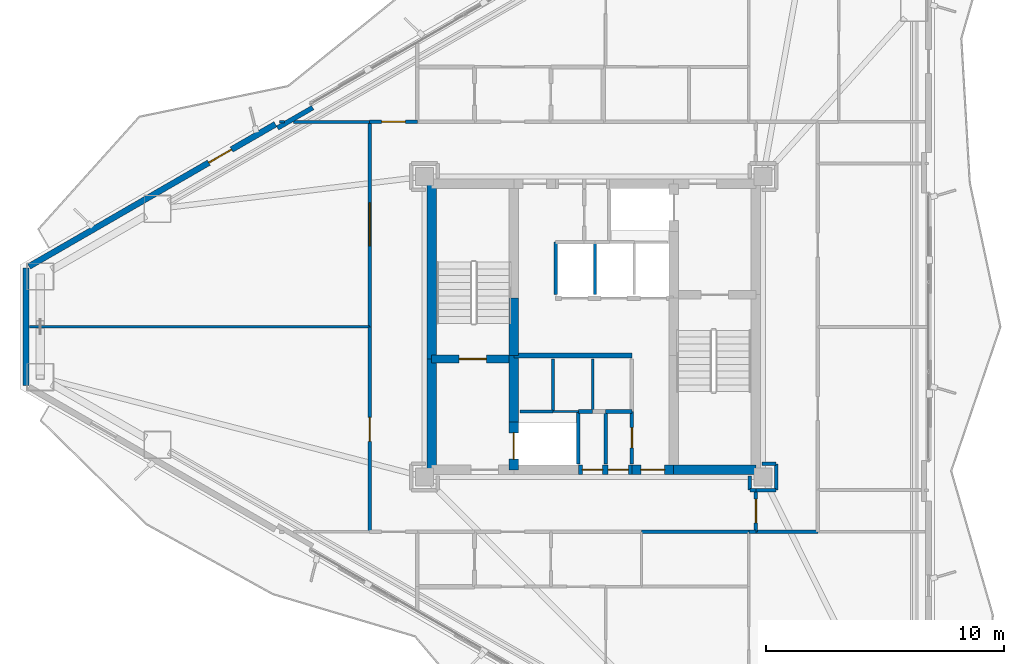
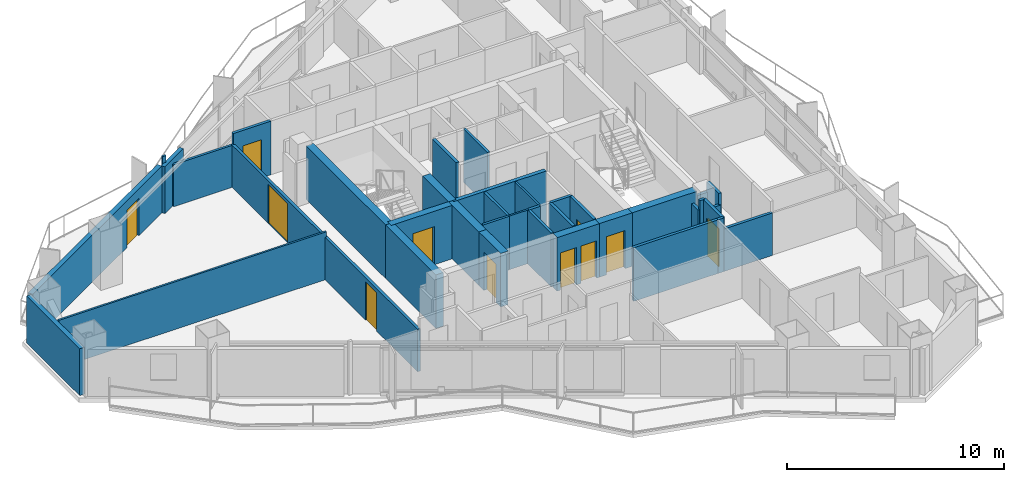
# One storey, part 16 of 22: 39 walls, 11 doors, 11 openings.
"""IFC4 building model written with IfcOpenShell, lengths in metres."""

from ifc_helpers import new_model, si_unit, direction, frame, frame_2d, origin, place, context, subcontext, project, spatial, rectangle, extrude, material, layer, layer_set, type_object, element, fill, save


model = new_model("IFC4")

# Units and contexts
model_context = context("Model", 3, precision=1e-05, world=origin(), true_north=direction((0.0, 1.0)))
body_context = subcontext(model_context, "Body", "Model", "MODEL_VIEW")
ifc_project = project(units=[si_unit("LENGTHUNIT", "METRE"), si_unit("AREAUNIT", "SQUARE_METRE"), si_unit("VOLUMEUNIT", "CUBIC_METRE"), si_unit("PLANEANGLEUNIT", "RADIAN"), si_unit("MASSUNIT", "GRAM", prefix="KILO")], contexts=[model_context])

# Site, building, storey
site_placement = place(None, origin())
site = spatial("IfcSite", under=ifc_project, at=site_placement, CompositionType="ELEMENT")
building_placement = place(site_placement, origin())
building = spatial("IfcBuilding", under=site, at=building_placement, Name="Mersakhor Tower and Convention Hall", CompositionType="ELEMENT")
storey_placement = place(building_placement, frame((0.0, 0.0, 113.10009765625)))
storey = spatial("IfcBuildingStorey", under=building, at=storey_placement, Name="L31", CompositionType="ELEMENT", Elevation=113.10009765625)

# Wall
ifc_material_1 = material(Name="Precast concrete C40/50", Category="concrete")
ifc_layer_1 = layer(ifc_material_1, 0.25)
ifc_layer_set_1 = layer_set([ifc_layer_1], Name="Precast concrete C40/50")
wall_type_1 = type_object("IfcWallType", Name="WL-EXT-250", PredefinedType="SOLIDWALL", material=ifc_layer_set_1)
wall_1_placement = place(storey_placement, frame((5.186767578125, 24.292724609375, 0.0), z_axis=(0.0, 0.0, 1.0), x_axis=(0.0, 1.0, 0.0)))
element("IfcWall", 1, at=wall_1_placement, inside=storey, type_object=wall_type_1, Name="L31 Chamfer Braced Spandrel Wall C3", PredefinedType="SOLIDWALL", context=body_context, shape_type="SweptSolid", body=[
    extrude(rectangle(XDim=4.91455078125, YDim=0.25, at=frame_2d((2.457275390625, 0.0))), origin(), (0.0, 0.0, 1.0), 2.639892578125),
])

# Wall, opening, door
wall_2_placement = place(storey_placement, frame((5.316650390625, 29.2822265625, 0.0), z_axis=(0.0, 0.0, 1.0), x_axis=(0.866023023012, 0.500004123596, 0.0)))
wall_2 = element("IfcWall", 2, at=wall_2_placement, inside=storey, type_object=wall_type_1, Name="L31 Exterior Facade Wall F1-B1", PredefinedType="SOLIDWALL", context=body_context, shape_type="SweptSolid", body=[
    extrude(rectangle(XDim=11.9296875, YDim=0.25, at=frame_2d((5.96484375, 0.0))), origin(), (0.0, 0.0, 1.0), 2.639892578125),
])
opening_1_placement = place(wall_2_placement, frame((8.7041015625, 0.0, 0.0)))
opening_1 = element("IfcOpeningElement", 3, at=opening_1_placement, cuts=wall_2, Name="Opening BD-02", PredefinedType="OPENING", context=body_context, shape_type="SweptSolid", body=[
    extrude(rectangle(XDim=1.10009765625, YDim=2.10009765625, at=frame_2d((0.550048828125, 1.050048828125))), frame((0.0, 0.135009765625, 0.0), z_axis=(0.0, -1.0, 0.0), x_axis=(1.0, 0.0, 0.0)), (0.0, 0.0, 1.0), 0.27001953125),
])
ifc_material_2 = material(Name="Thermally broken dark aluminium and safety glass", Category="aluminium")
door_type_1 = type_object("IfcDoorType", Name="DR-BAL-110x210", OperationType="NOTDEFINED", PredefinedType="DOOR", material=ifc_material_2)
door_1_placement = place(opening_1_placement, origin())
door_1 = element("IfcDoor", 4, at=door_1_placement, inside=storey, type_object=door_type_1, Name="L31 Balcony Terrace Door F1-B1", OperationType="SINGLE_SWING_RIGHT", OverallHeight=2.10009765625, OverallWidth=1.10009765625, PredefinedType="DOOR", context=body_context, shape_type="SweptSolid", body=[
    extrude(rectangle(XDim=1.10009765625, YDim=2.10009765625, at=frame_2d((0.550048828125, 1.050048828125))), frame((0.0, 0.02490234375, 0.0), z_axis=(0.0, -1.0, 0.0), x_axis=(1.0, 0.0, 0.0)), (0.0, 0.0, 1.0), 0.050048828125),
])
fill(opening_1, door_1)

# Walls
ifc_material_3 = material(Name="Precast concrete C40/50", Category="concrete")
ifc_layer_2 = layer(ifc_material_3, 0.199951171875)
ifc_layer_set_2 = layer_set([ifc_layer_2], Name="Precast concrete C40/50")
wall_type_2 = type_object("IfcWallType", Name="WL-PAR-200", PredefinedType="PARAPET", material=ifc_layer_set_2)
wall_3_placement = place(storey_placement, frame((15.73779296875, 35.091064453125, 0.0), z_axis=(0.0, 0.0, 1.0), x_axis=(0.866025371046, 0.500000056704, 0.0)))
element("IfcWall", 5, at=wall_3_placement, inside=storey, type_object=wall_type_2, Name="L31 Column Pier Cladding Wall F1-C1", PredefinedType="PARAPET", context=body_context, shape_type="SweptSolid", body=[
    extrude(rectangle(XDim=1.7001953125, YDim=0.199951171875, at=frame_2d((0.85009765625, 0.0))), origin(), (0.0, 0.0, 1.0), 2.639892578125),
])
ifc_material_4 = material(Name="Lightweight gypsum partition", Category="other")
ifc_layer_3 = layer(ifc_material_4, 0.10009765625)
ifc_layer_set_3 = layer_set([ifc_layer_3], Name="Lightweight gypsum partition")
wall_type_3 = type_object("IfcWallType", Name="WL-PRT-100", PredefinedType="PARTITIONING", material=ifc_layer_set_3)
wall_4_placement = place(storey_placement, frame((27.300048828125, 23.199951171875, 0.0), z_axis=(0.0, 0.0, 1.0), x_axis=(1.0, 0.0, 0.0)))
element("IfcWall", 6, at=wall_4_placement, inside=storey, type_object=wall_type_3, Name="L31 Interior Partition Wall P-002", PredefinedType="PARTITIONING", context=body_context, shape_type="SweptSolid", body=[
    extrude(rectangle(XDim=1.050048828125, YDim=0.10009765625, at=frame_2d((0.52490234375, 0.0))), origin(), (0.0, 0.0, 1.0), 3.02001953125),
])
wall_5_placement = place(storey_placement, frame((28.949951171875, 25.39990234375, 0.0), z_axis=(0.0, 0.0, 1.0), x_axis=(0.0, -1.0, 0.0)))
element("IfcWall", 7, at=wall_5_placement, inside=storey, type_object=wall_type_3, Name="L31 Interior Partition Wall P-008", PredefinedType="PARTITIONING", context=body_context, shape_type="SweptSolid", body=[
    extrude(rectangle(XDim=2.199951171875, YDim=0.10009765625, at=frame_2d((1.10009765625, 0.0))), origin(), (0.0, 0.0, 1.0), 3.02001953125),
])
wall_6_placement = place(storey_placement, frame((16.026123046875, 35.35009765625, 0.0), z_axis=(0.0, 0.0, 1.0), x_axis=(-1.0, 0.0, 0.0)))
element("IfcWall", 8, at=wall_6_placement, inside=storey, type_object=wall_type_3, Name="L31 Interior Partition Wall P-082", PredefinedType="PARTITIONING", context=body_context, shape_type="SweptSolid", body=[
    extrude(rectangle(XDim=0.2001953125, YDim=0.10009765625, at=frame_2d((0.10009765625, 0.0))), origin(), (0.0, 0.0, 1.0), 3.02001953125),
])
wall_7_placement = place(storey_placement, frame((5.335693359375, 26.75, 0.0), z_axis=(0.0, 0.0, 1.0), x_axis=(1.0, 0.0, 0.0)))
element("IfcWall", 9, at=wall_7_placement, inside=storey, type_object=wall_type_3, Name="L31 Interior Partition Wall P-086", PredefinedType="PARTITIONING", context=body_context, shape_type="SweptSolid", body=[
    extrude(rectangle(XDim=14.264404296875, YDim=0.10009765625, at=frame_2d((7.13232421875, 0.0))), origin(), (0.0, 0.0, 1.0), 2.684326171875),
])
ifc_material_5 = material(Name="Gypsum board acoustic partition", Category="other")
ifc_layer_4 = layer(ifc_material_5, 0.125)
ifc_layer_set_4 = layer_set([ifc_layer_4], Name="Gypsum board acoustic partition")
wall_type_4 = type_object("IfcWallType", Name="WL-PRT-125", PredefinedType="PARTITIONING", material=ifc_layer_set_4)
wall_8_placement = place(storey_placement, frame((25.89990234375, 23.199951171875, 0.0), z_axis=(0.0, 0.0, 1.0), x_axis=(1.0, 0.0, 0.0)))
element("IfcWall", 10, at=wall_8_placement, inside=storey, type_object=wall_type_4, Name="L31 Interior Partition Wall P-001", PredefinedType="PARTITIONING", context=body_context, shape_type="SweptSolid", body=[
    extrude(rectangle(XDim=1.400146484375, YDim=0.125, at=frame_2d((0.7001953125, 0.0))), origin(), (0.0, 0.0, 1.0), 3.02001953125),
])
for number, where, z_axis, x_axis, name in (
    (11, (27.300048828125, 25.39990234375, 0.0), (0.0, 0.0, 1.0), (0.0, -1.0, 0.0), "L31 Interior Partition Wall P-007"),
    (12, (29.050048828125, 30.300048828125, 0.0), (0.0, 0.0, 1.0), (0.0, -1.0, 0.0), "L31 Interior Partition Wall P-015"),
):
    element("IfcWall", number, at=place(storey_placement, frame(where, z_axis=z_axis, x_axis=x_axis)), inside=storey, type_object=wall_type_4, Name=name, PredefinedType="PARTITIONING", context=body_context, shape_type="SweptSolid", body=[
        extrude(rectangle(XDim=2.199951171875, YDim=0.125, at=frame_2d((1.10009765625, 0.0))), origin(), (0.0, 0.0, 1.0), 3.02001953125),
    ])
wall_9_placement = place(storey_placement, frame((19.60009765625, 35.35009765625, 0.0), z_axis=(0.0, 0.0, 1.0), x_axis=(-1.0, 0.0, 0.0)))
element("IfcWall", 13, at=wall_9_placement, inside=storey, type_object=wall_type_4, Name="L31 Interior Partition Wall P-081", PredefinedType="PARTITIONING", context=body_context, shape_type="SweptSolid", body=[
    extrude(rectangle(XDim=3.188232421875, YDim=0.125, at=frame_2d((1.59423828125, 0.0))), origin(), (0.0, 0.0, 1.0), 2.364990234375),
])
ifc_material_6 = material(Name="Fire-rated gypsum board stud partition", Category="other")
ifc_layer_5 = layer(ifc_material_6, 0.14990234375)
ifc_layer_set_5 = layer_set([ifc_layer_5], Name="Fire-rated gypsum board stud partition")
wall_type_5 = type_object("IfcWallType", Name="WL-PRT-150", PredefinedType="PARTITIONING", material=ifc_layer_set_5)
wall_10_placement = place(storey_placement, frame((28.35009765625, 23.199951171875, 0.0), z_axis=(0.0, 0.0, 1.0), x_axis=(0.0, -1.0, 0.0)))
element("IfcWall", 14, at=wall_10_placement, inside=storey, type_object=wall_type_5, Name="L31 Interior Partition Wall P-003", PredefinedType="PARTITIONING", context=body_context, shape_type="SweptSolid", body=[
    extrude(rectangle(XDim=2.199951171875, YDim=0.14990234375, at=frame_2d((1.10009765625, 0.0))), origin(), (0.0, 0.0, 1.0), 3.02001953125),
])
wall_11_placement = place(storey_placement, frame((28.949951171875, 23.199951171875, 0.0), z_axis=(0.0, 0.0, 1.0), x_axis=(-1.0, 0.0, 0.0)))
element("IfcWall", 15, at=wall_11_placement, inside=storey, type_object=wall_type_5, Name="L31 Interior Partition Wall P-009", PredefinedType="PARTITIONING", context=body_context, shape_type="SweptSolid", body=[
    extrude(rectangle(XDim=0.599853515625, YDim=0.14990234375, at=frame_2d((0.2998046875, 0.0))), origin(), (0.0, 0.0, 1.0), 3.02001953125),
])
wall_12_placement = place(storey_placement, frame((30.60009765625, 23.199951171875, 0.0), z_axis=(0.0, 0.0, 1.0), x_axis=(-1.0, 0.0, 0.0)))
element("IfcWall", 16, at=wall_12_placement, inside=storey, type_object=wall_type_5, Name="L31 Interior Partition Wall P-011", PredefinedType="PARTITIONING", context=body_context, shape_type="SweptSolid", body=[
    extrude(rectangle(XDim=1.10009765625, YDim=0.14990234375, at=frame_2d((0.550048828125, 0.0))), origin(), (0.0, 0.0, 1.0), 3.02001953125),
])
wall_13_placement = place(storey_placement, frame((27.39990234375, 28.10009765625, 0.0), z_axis=(0.0, 0.0, 1.0), x_axis=(0.0, 1.0, 0.0)))
element("IfcWall", 17, at=wall_13_placement, inside=storey, type_object=wall_type_5, Name="L31 Interior Partition Wall P-016", PredefinedType="PARTITIONING", context=body_context, shape_type="SweptSolid", body=[
    extrude(rectangle(XDim=2.199951171875, YDim=0.14990234375, at=frame_2d((1.10009765625, 0.0))), origin(), (0.0, 0.0, 1.0), 3.02001953125),
])

# Wall, opening, door
wall_14_placement = place(storey_placement, frame((30.60009765625, 21.0, 0.0), z_axis=(0.0, 0.0, 1.0), x_axis=(0.0, 1.0, 0.0)))
wall_14 = element("IfcWall", 18, at=wall_14_placement, inside=storey, type_object=wall_type_5, Name="L31 Interior Partition Wall P-019", PredefinedType="PARTITIONING", context=body_context, shape_type="SweptSolid", body=[
    extrude(rectangle(XDim=2.199951171875, YDim=0.14990234375, at=frame_2d((1.10009765625, 0.0))), origin(), (0.0, 0.0, 1.0), 3.02001953125),
])
opening_2_placement = place(wall_14_placement, frame((0.675048828125, 0.0, 0.0)))
opening_2 = element("IfcOpeningElement", 19, at=opening_2_placement, cuts=wall_14, Name="Opening SVD-01", PredefinedType="OPENING", context=body_context, shape_type="SweptSolid", body=[
    extrude(rectangle(XDim=0.85009765625, YDim=2.10009765625, at=frame_2d((0.425048828125, 1.050048828125))), frame((0.0, 0.0849609375, 0.0), z_axis=(0.0, -1.0, 0.0), x_axis=(1.0, 0.0, 0.0)), (0.0, 0.0, 1.0), 0.169921875),
])
ifc_material_7 = material(Name="Fire-rated hardwood leaf and painted steel frame", Category="steel")
door_type_2 = type_object("IfcDoorType", Name="DR-INT-SVC-085x210", OperationType="NOTDEFINED", PredefinedType="DOOR", material=ifc_material_7)
door_2_placement = place(opening_2_placement, origin())
door_2 = element("IfcDoor", 20, at=door_2_placement, inside=storey, type_object=door_type_2, Name="L31 Central Passenger Lift Lobby to Refuse and Recycling Room Door", OperationType="SINGLE_SWING_RIGHT", OverallHeight=2.10009765625, OverallWidth=0.85009765625, PredefinedType="DOOR", context=body_context, shape_type="SweptSolid", body=[
    extrude(rectangle(XDim=0.85009765625, YDim=2.10009765625, at=frame_2d((0.425048828125, 1.050048828125))), frame((0.0, 0.02490234375, 0.0), z_axis=(0.0, -1.0, 0.0), x_axis=(1.0, 0.0, 0.0)), (0.0, 0.0, 1.0), 0.050048828125),
])
fill(opening_2, door_2)

# Walls
wall_15_placement = place(storey_placement, frame((35.550048828125, 20.5, 0.0), z_axis=(0.0, 0.0, 1.0), x_axis=(0.0, -1.0, 0.0)))
element("IfcWall", 21, at=wall_15_placement, inside=storey, type_object=wall_type_5, Name="L31 Interior Partition Wall P-023", PredefinedType="PARTITIONING", context=body_context, shape_type="SweptSolid", body=[
    extrude(rectangle(XDim=0.60009765625, YDim=0.14990234375, at=frame_2d((0.300048828125, 0.0))), origin(), (0.0, 0.0, 1.0), 2.46826171875),
])
wall_16_placement = place(storey_placement, frame((35.550048828125, 19.89990234375, 0.0), z_axis=(0.0, 0.0, 1.0), x_axis=(1.0, 0.0, 0.0)))
element("IfcWall", 22, at=wall_16_placement, inside=storey, type_object=wall_type_5, Name="L31 Interior Partition Wall P-024", PredefinedType="PARTITIONING", context=body_context, shape_type="SweptSolid", body=[
    extrude(rectangle(XDim=0.25, YDim=0.14990234375, at=frame_2d((0.125, 0.0))), origin(), (0.0, 0.0, 1.0), 3.02001953125),
])

# Wall, opening, door
wall_17_placement = place(storey_placement, frame((35.800048828125, 19.89990234375, 0.0), z_axis=(0.0, 0.0, 1.0), x_axis=(0.0, -1.0, 0.0)))
wall_17 = element("IfcWall", 23, at=wall_17_placement, inside=storey, type_object=wall_type_5, Name="L31 Interior Partition Wall P-025", PredefinedType="PARTITIONING", context=body_context, shape_type="SweptSolid", body=[
    extrude(rectangle(XDim=1.75, YDim=0.14990234375, at=frame_2d((0.875, 0.0))), origin(), (0.0, 0.0, 1.0), 3.02001953125),
])
opening_3_placement = place(wall_17_placement, frame((0.375, 0.0, 0.0)))
opening_3 = element("IfcOpeningElement", 24, at=opening_3_placement, cuts=wall_17, Name="Opening FD-01", PredefinedType="OPENING", context=body_context, shape_type="SweptSolid", body=[
    extrude(rectangle(XDim=1.0, YDim=2.14990234375, at=frame_2d((0.5, 1.074951171875))), frame((0.0, 0.0849609375, 0.0), z_axis=(0.0, -1.0, 0.0), x_axis=(1.0, 0.0, 0.0)), (0.0, 0.0, 1.0), 0.169921875),
])
ifc_material_8 = material(Name="Fire-rated hardwood leaf and painted steel frame", Category="steel")
door_type_3 = type_object("IfcDoorType", Name="DR-INT-FLT-100x215", OperationType="NOTDEFINED", PredefinedType="DOOR", material=ifc_material_8)
door_3_placement = place(opening_3_placement, origin())
door_3 = element("IfcDoor", 25, at=door_3_placement, inside=storey, type_object=door_type_3, Name="L31 Ring Corridor Fire Door", OperationType="SINGLE_SWING_RIGHT", OverallHeight=2.14990234375, OverallWidth=1.0, PredefinedType="DOOR", context=body_context, shape_type="SweptSolid", body=[
    extrude(rectangle(XDim=1.0, YDim=2.14990234375, at=frame_2d((0.5, 1.074951171875))), frame((0.0, 0.02490234375, 0.0), z_axis=(0.0, -1.0, 0.0), x_axis=(1.0, 0.0, 0.0)), (0.0, 0.0, 1.0), 0.050048828125),
])
fill(opening_3, door_3)

# Walls
wall_18_placement = place(storey_placement, frame((35.800048828125, 18.14990234375, 0.0), z_axis=(0.0, 0.0, 1.0), x_axis=(-1.0, 0.0, 0.0)))
element("IfcWall", 26, at=wall_18_placement, inside=storey, type_object=wall_type_5, Name="L31 Interior Partition Wall P-026", PredefinedType="PARTITIONING", context=body_context, shape_type="SweptSolid", body=[
    extrude(rectangle(XDim=0.300048828125, YDim=0.14990234375, at=frame_2d((0.14990234375, 0.0))), origin(), (0.0, 0.0, 1.0), 3.02001953125),
])
wall_19_placement = place(storey_placement, frame((35.5, 18.14990234375, 0.0), z_axis=(0.0, 0.0, 1.0), x_axis=(-1.0, 0.0, 0.0)))
element("IfcWall", 27, at=wall_19_placement, inside=storey, type_object=wall_type_5, Name="L31 Interior Partition Wall P-027", PredefinedType="PARTITIONING", context=body_context, shape_type="SweptSolid", body=[
    extrude(rectangle(XDim=4.5, YDim=0.14990234375, at=frame_2d((2.25, 0.0))), origin(), (0.0, 0.0, 1.0), 3.02001953125),
])

# Wall, opening, door
wall_20_placement = place(storey_placement, frame((19.60009765625, 18.14990234375, 0.0), z_axis=(0.0, 0.0, 1.0), x_axis=(0.0, 1.0, 0.0)))
wall_20 = element("IfcWall", 28, at=wall_20_placement, inside=storey, type_object=wall_type_5, Name="L31 Interior Partition Wall P-032", PredefinedType="PARTITIONING", context=body_context, shape_type="SweptSolid", body=[
    extrude(rectangle(XDim=8.60009765625, YDim=0.14990234375, at=frame_2d((4.300048828125, 0.0))), origin(), (0.0, 0.0, 1.0), 2.392822265625),
])
opening_4_placement = place(wall_20_placement, frame((3.800048828125, 0.0, 0.0)))
opening_4 = element("IfcOpeningElement", 29, at=opening_4_placement, cuts=wall_20, Name="Opening FD-01", PredefinedType="OPENING", context=body_context, shape_type="SweptSolid", body=[
    extrude(rectangle(XDim=1.0, YDim=2.14990234375, at=frame_2d((0.5, 1.074951171875))), frame((0.0, 0.0849609375, 0.0), z_axis=(0.0, -1.0, 0.0), x_axis=(1.0, 0.0, 0.0)), (0.0, 0.0, 1.0), 0.169921875),
])
door_4_placement = place(opening_4_placement, origin())
door_4 = element("IfcDoor", 30, at=door_4_placement, inside=storey, type_object=door_type_3, Name="L31 Residential Ring Corridor to L31 West Wing Shared Co-Working Office Door", OperationType="SINGLE_SWING_LEFT", OverallHeight=2.14990234375, OverallWidth=1.0, PredefinedType="DOOR", context=body_context, shape_type="SweptSolid", body=[
    extrude(rectangle(XDim=1.0, YDim=2.14990234375, at=frame_2d((0.5, 1.074951171875))), frame((0.0, 0.02490234375, 0.0), z_axis=(0.0, -1.0, 0.0), x_axis=(1.0, 0.0, 0.0)), (0.0, 0.0, 1.0), 0.050048828125),
])
fill(opening_4, door_4)

wall_21_placement = place(storey_placement, frame((19.60009765625, 26.75, 0.0), z_axis=(0.0, 0.0, 1.0), x_axis=(0.0, 1.0, 0.0)))
wall_21 = element("IfcWall", 31, at=wall_21_placement, inside=storey, type_object=wall_type_5, Name="L31 Interior Partition Wall P-033", PredefinedType="PARTITIONING", context=body_context, shape_type="SweptSolid", body=[
    extrude(rectangle(XDim=8.60009765625, YDim=0.14990234375, at=frame_2d((4.300048828125, 0.0))), origin(), (0.0, 0.0, 1.0), 2.392822265625),
])
opening_5_placement = place(wall_21_placement, frame((3.39990234375, 0.0, 0.0)))
opening_5 = element("IfcOpeningElement", 32, at=opening_5_placement, cuts=wall_21, Name="Opening HD-01", PredefinedType="OPENING", context=body_context, shape_type="SweptSolid", body=[
    extrude(rectangle(XDim=1.800048828125, YDim=2.199951171875, at=frame_2d((0.89990234375, 1.10009765625))), frame((0.0, 0.0849609375, 0.0), z_axis=(0.0, -1.0, 0.0), x_axis=(1.0, 0.0, 0.0)), (0.0, 0.0, 1.0), 0.169921875),
])
ifc_material_9 = material(Name="Fire-rated hardwood leaf and painted steel frame", Category="steel")
door_type_4 = type_object("IfcDoorType", Name="DR-INT-HALL-180x220", OperationType="NOTDEFINED", PredefinedType="DOOR", material=ifc_material_9)
door_5_placement = place(opening_5_placement, origin())
door_5 = element("IfcDoor", 33, at=door_5_placement, inside=storey, type_object=door_type_4, Name="L31 Residential Ring Corridor to L31 West Wing Residents Library Hall Door", OperationType="DOUBLE_DOOR_SINGLE_SWING", OverallHeight=2.199951171875, OverallWidth=1.800048828125, PredefinedType="DOOR", context=body_context, shape_type="SweptSolid", body=[
    extrude(rectangle(XDim=1.800048828125, YDim=2.199951171875, at=frame_2d((0.89990234375, 1.10009765625))), frame((0.0, 0.02490234375, 0.0), z_axis=(0.0, -1.0, 0.0), x_axis=(1.0, 0.0, 0.0)), (0.0, 0.0, 1.0), 0.050048828125),
])
fill(opening_5, door_5)

wall_22_placement = place(storey_placement, frame((19.60009765625, 35.35009765625, 0.0), z_axis=(0.0, 0.0, 1.0), x_axis=(1.0, 0.0, 0.0)))
wall_22 = element("IfcWall", 34, at=wall_22_placement, inside=storey, type_object=wall_type_5, Name="L31 Interior Partition Wall P-034", PredefinedType="PARTITIONING", context=body_context, shape_type="SweptSolid", body=[
    extrude(rectangle(XDim=2.0, YDim=0.14990234375, at=frame_2d((1.0, 0.0))), origin(), (0.0, 0.0, 1.0), 3.02001953125),
])
opening_6_placement = place(wall_22_placement, frame((0.5, 0.0, 0.0)))
opening_6 = element("IfcOpeningElement", 35, at=opening_6_placement, cuts=wall_22, Name="Opening FD-01", PredefinedType="OPENING", context=body_context, shape_type="SweptSolid", body=[
    extrude(rectangle(XDim=1.0, YDim=2.14990234375, at=frame_2d((0.5, 1.074951171875))), frame((0.0, 0.0849609375, 0.0), z_axis=(0.0, -1.0, 0.0), x_axis=(1.0, 0.0, 0.0)), (0.0, 0.0, 1.0), 0.169921875),
])
door_6_placement = place(opening_6_placement, origin())
door_6 = element("IfcDoor", 36, at=door_6_placement, inside=storey, type_object=door_type_3, Name="L31 Residential Ring Corridor to L31 North-West Quiet Focus Room 1 Door", OperationType="SINGLE_SWING_LEFT", OverallHeight=2.14990234375, OverallWidth=1.0, PredefinedType="DOOR", context=body_context, shape_type="SweptSolid", body=[
    extrude(rectangle(XDim=1.0, YDim=2.14990234375, at=frame_2d((0.5, 1.074951171875))), frame((0.0, 0.02490234375, 0.0), z_axis=(0.0, -1.0, 0.0), x_axis=(1.0, 0.0, 0.0)), (0.0, 0.0, 1.0), 0.050048828125),
])
fill(opening_6, door_6)

# Walls
wall_23_placement = place(storey_placement, frame((36.64990234375, 21.0, 0.0), z_axis=(0.0, 0.0, 1.0), x_axis=(-1.0, 0.0, 0.0)))
element("IfcWall", 37, at=wall_23_placement, inside=storey, type_object=wall_type_5, Name="L31 Interior Partition Wall P-050", PredefinedType="PARTITIONING", context=body_context, shape_type="SweptSolid", body=[
    extrude(rectangle(XDim=0.599853515625, YDim=0.14990234375, at=frame_2d((0.2998046875, 0.0))), origin(), (0.0, 0.0, 1.0), 2.46826171875),
])
wall_24_placement = place(storey_placement, frame((38.39990234375, 18.14990234375, 0.0), z_axis=(0.0, 0.0, 1.0), x_axis=(-1.0, 0.0, 0.0)))
element("IfcWall", 38, at=wall_24_placement, inside=storey, type_object=wall_type_5, Name="L31 Interior Partition Wall P-059", PredefinedType="PARTITIONING", context=body_context, shape_type="SweptSolid", body=[
    extrude(rectangle(XDim=2.599853515625, YDim=0.14990234375, at=frame_2d((1.2998046875, 0.0))), origin(), (0.0, 0.0, 1.0), 2.392822265625),
])
wall_25_placement = place(storey_placement, frame((35.800048828125, 19.89990234375, 0.0), z_axis=(0.0, 0.0, 1.0), x_axis=(1.0, 0.0, 0.0)))
element("IfcWall", 39, at=wall_25_placement, inside=storey, type_object=wall_type_5, Name="L31 Interior Partition Wall P-060", PredefinedType="PARTITIONING", context=body_context, shape_type="SweptSolid", body=[
    extrude(rectangle(XDim=0.849853515625, YDim=0.14990234375, at=frame_2d((0.4248046875, 0.0))), origin(), (0.0, 0.0, 1.0), 2.392822265625),
])
wall_26_placement = place(storey_placement, frame((36.64990234375, 19.89990234375, 0.0), z_axis=(0.0, 0.0, 1.0), x_axis=(0.0, 1.0, 0.0)))
element("IfcWall", 40, at=wall_26_placement, inside=storey, type_object=wall_type_5, Name="L31 Interior Partition Wall P-061", PredefinedType="PARTITIONING", context=body_context, shape_type="SweptSolid", body=[
    extrude(rectangle(XDim=1.10009765625, YDim=0.14990234375, at=frame_2d((0.550048828125, 0.0))), origin(), (0.0, 0.0, 1.0), 3.02001953125),
])
wall_27_placement = place(storey_placement, frame((29.5, 23.199951171875, 0.0), z_axis=(0.0, 0.0, 1.0), x_axis=(0.0, -1.0, 0.0)))
element("IfcWall", 41, at=wall_27_placement, inside=storey, type_object=wall_type_5, Name="L31 Interior Partition Wall P-079", PredefinedType="PARTITIONING", context=body_context, shape_type="SweptSolid", body=[
    extrude(rectangle(XDim=2.199951171875, YDim=0.14990234375, at=frame_2d((1.10009765625, 0.0))), origin(), (0.0, 0.0, 1.0), 3.02001953125),
])
ifc_material_10 = material(Name="Acoustic concrete blockwork and gypsum board", Category="masonry")
ifc_layer_6 = layer(ifc_material_10, 0.199951171875)
ifc_layer_set_6 = layer_set([ifc_layer_6], Name="Acoustic concrete blockwork and gypsum board")
wall_type_6 = type_object("IfcWallType", Name="WL-PRT-200", PredefinedType="PARTITIONING", material=ifc_layer_set_6)
wall_28_placement = place(storey_placement, frame((25.64990234375, 25.550048828125, 0.0), z_axis=(0.0, 0.0, 1.0), x_axis=(1.0, 0.0, 0.0)))
element("IfcWall", 42, at=wall_28_placement, inside=storey, type_object=wall_type_6, Name="L31 High-Rise Lift Bank Front Wall", PredefinedType="PARTITIONING", context=body_context, shape_type="SweptSolid", body=[
    extrude(rectangle(XDim=4.9501953125, YDim=0.199951171875, at=frame_2d((2.47509765625, 0.0))), origin(), (0.0, 0.0, 1.0), 3.02001953125),
])

# Wall, opening, door
ifc_material_11 = material(Name="Concrete C50/60", Category="concrete")
ifc_layer_7 = layer(ifc_material_11, 0.35009765625)
ifc_layer_set_7 = layer_set([ifc_layer_7], Name="Concrete C50/60")
wall_type_7 = type_object("IfcWallType", Name="WL-SHR-350", PredefinedType="SHEAR", material=ifc_layer_set_7)
wall_29_placement = place(storey_placement, frame((22.199951171875, 25.39990234375, 0.0), z_axis=(0.0, 0.0, 1.0), x_axis=(1.0, 0.0, 0.0)))
wall_29 = element("IfcWall", 43, at=wall_29_placement, inside=storey, type_object=wall_type_7, Name="L31 Core Wall CS-ST1-S", PredefinedType="SHEAR", context=body_context, shape_type="SweptSolid", body=[
    extrude(rectangle(XDim=3.449951171875, YDim=0.35009765625, at=frame_2d((1.72509765625, 0.0))), origin(), (0.0, 0.0, 1.0), 3.02001953125),
])
opening_7_placement = place(wall_29_placement, frame((1.14990234375, 0.0, 0.0)))
opening_7 = element("IfcOpeningElement", 44, at=opening_7_placement, cuts=wall_29, Name="Opening SD-01", PredefinedType="OPENING", context=body_context, shape_type="SweptSolid", body=[
    extrude(rectangle(XDim=1.14990234375, YDim=2.14990234375, at=frame_2d((0.574951171875, 1.074951171875))), frame((0.0, 0.18505859375, 0.0), z_axis=(0.0, -1.0, 0.0), x_axis=(1.0, 0.0, 0.0)), (0.0, 0.0, 1.0), 0.3701171875),
])
ifc_material_12 = material(Name="Fire-rated hardwood leaf and painted steel frame", Category="steel")
door_type_5 = type_object("IfcDoorType", Name="DR-INT-STAIR-115x215", OperationType="NOTDEFINED", PredefinedType="DOOR", material=ifc_material_12)
door_7_placement = place(opening_7_placement, origin())
door_7 = element("IfcDoor", 45, at=door_7_placement, inside=storey, type_object=door_type_5, Name="L31 Exit Stair ST-1 Enclosure Door", OperationType="SINGLE_SWING_LEFT", OverallHeight=2.14990234375, OverallWidth=1.14990234375, PredefinedType="DOOR", context=body_context, shape_type="SweptSolid", body=[
    extrude(rectangle(XDim=1.14990234375, YDim=2.14990234375, at=frame_2d((0.574951171875, 1.074951171875))), frame((0.0, 0.02490234375, 0.0), z_axis=(0.0, -1.0, 0.0), x_axis=(1.0, 0.0, 0.0)), (0.0, 0.0, 1.0), 0.050048828125),
])
fill(opening_7, door_7)

# Walls
ifc_material_13 = material(Name="Concrete C60/75", Category="concrete")
ifc_layer_8 = layer(ifc_material_13, 0.39990234375)
ifc_layer_set_8 = layer_set([ifc_layer_8], Name="Concrete C60/75")
wall_type_8 = type_object("IfcWallType", Name="WL-SHR-400", PredefinedType="SHEAR", material=ifc_layer_set_8)
wall_30_placement = place(storey_placement, frame((22.199951171875, 20.75, 0.0), z_axis=(0.0, 0.0, 1.0), x_axis=(0.0, 1.0, 0.0)))
element("IfcWall", 46, at=wall_30_placement, inside=storey, type_object=wall_type_8, Name="L31 Core Wall CW-W1", PredefinedType="SHEAR", context=body_context, shape_type="SweptSolid", body=[
    extrude(rectangle(XDim=4.64990234375, YDim=0.39990234375, at=frame_2d((2.324951171875, 0.0))), origin(), (0.0, 0.0, 1.0), 3.02001953125),
])
wall_31_placement = place(storey_placement, frame((22.199951171875, 25.39990234375, 0.0), z_axis=(0.0, 0.0, 1.0), x_axis=(0.0, 1.0, 0.0)))
element("IfcWall", 47, at=wall_31_placement, inside=storey, type_object=wall_type_8, Name="L31 Core Wall CW-W2", PredefinedType="SHEAR", context=body_context, shape_type="SweptSolid", body=[
    extrude(rectangle(XDim=7.35009765625, YDim=0.39990234375, at=frame_2d((3.675048828125, 0.0))), origin(), (0.0, 0.0, 1.0), 3.02001953125),
])
wall_32_placement = place(storey_placement, frame((35.800048828125, 20.75, 0.0), z_axis=(0.0, 0.0, 1.0), x_axis=(-1.0, 0.0, 0.0)))
element("IfcWall", 48, at=wall_32_placement, inside=storey, type_object=wall_type_8, Name="L31 Core Wall CW-S1", PredefinedType="SHEAR", context=body_context, shape_type="SweptSolid", body=[
    extrude(rectangle(XDim=3.449951171875, YDim=0.39990234375, at=frame_2d((1.72509765625, 0.0))), origin(), (0.0, 0.0, 1.0), 3.02001953125),
])

# Wall, opening, door
wall_33_placement = place(storey_placement, frame((32.35009765625, 20.75, 0.0), z_axis=(0.0, 0.0, 1.0), x_axis=(-1.0, 0.0, 0.0)))
wall_33 = element("IfcWall", 49, at=wall_33_placement, inside=storey, type_object=wall_type_8, Name="L31 Core Wall CW-S2A", PredefinedType="SHEAR", context=body_context, shape_type="SweptSolid", body=[
    extrude(rectangle(XDim=1.75, YDim=0.39990234375, at=frame_2d((0.875, 0.0))), origin(), (0.0, 0.0, 1.0), 3.02001953125),
])
opening_8_placement = place(wall_33_placement, frame((0.375, 0.0, 0.0)))
opening_8 = element("IfcOpeningElement", 50, at=opening_8_placement, cuts=wall_33, Name="Opening CFD-01", PredefinedType="OPENING", context=body_context, shape_type="SweptSolid", body=[
    extrude(rectangle(XDim=1.0, YDim=2.14990234375, at=frame_2d((0.5, 1.074951171875))), frame((0.0, 0.2099609375, 0.0), z_axis=(0.0, -1.0, 0.0), x_axis=(1.0, 0.0, 0.0)), (0.0, 0.0, 1.0), 0.419921875),
])
ifc_material_14 = material(Name="Fire-rated hardwood leaf and painted steel frame", Category="steel")
door_type_6 = type_object("IfcDoorType", Name="DR-CORE-FD-100x215", OperationType="NOTDEFINED", PredefinedType="DOOR", material=ifc_material_14)
door_8_placement = place(opening_8_placement, origin())
door_8 = element("IfcDoor", 51, at=door_8_placement, inside=storey, type_object=door_type_6, Name="L31 Lift Lobby South Corridor Door", OperationType="SINGLE_SWING_RIGHT", OverallHeight=2.14990234375, OverallWidth=1.0, PredefinedType="DOOR", context=body_context, shape_type="SweptSolid", body=[
    extrude(rectangle(XDim=1.0, YDim=2.14990234375, at=frame_2d((0.5, 1.074951171875))), frame((0.0, 0.02490234375, 0.0), z_axis=(0.0, -1.0, 0.0), x_axis=(1.0, 0.0, 0.0)), (0.0, 0.0, 1.0), 0.050048828125),
])
fill(opening_8, door_8)

# Wall, openings, doors
wall_34_placement = place(storey_placement, frame((30.60009765625, 20.75, 0.0), z_axis=(0.0, 0.0, 1.0), x_axis=(-1.0, 0.0, 0.0)))
wall_34 = element("IfcWall", 52, at=wall_34_placement, inside=storey, type_object=wall_type_8, Name="L31 Core Wall CW-S2B", PredefinedType="SHEAR", context=body_context, shape_type="SweptSolid", body=[
    extrude(rectangle(XDim=2.25, YDim=0.39990234375, at=frame_2d((1.125, 0.0))), origin(), (0.0, 0.0, 1.0), 3.02001953125),
])
opening_9_placement = place(wall_34_placement, frame((1.22998046875, 0.0, 0.0)))
opening_9 = element("IfcOpeningElement", 53, at=opening_9_placement, cuts=wall_34, Name="Opening SVD-01", PredefinedType="OPENING", context=body_context, shape_type="SweptSolid", body=[
    extrude(rectangle(XDim=0.85009765625, YDim=2.10009765625, at=frame_2d((0.425048828125, 1.050048828125))), frame((0.0, 0.2099609375, 0.0), z_axis=(0.0, -1.0, 0.0), x_axis=(1.0, 0.0, 0.0)), (0.0, 0.0, 1.0), 0.419921875),
])
opening_10_placement = place(wall_34_placement, frame((0.14501953125, 0.0, 0.0)))
opening_10 = element("IfcOpeningElement", 54, at=opening_10_placement, cuts=wall_34, Name="Opening SVD-01", PredefinedType="OPENING", context=body_context, shape_type="SweptSolid", body=[
    extrude(rectangle(XDim=0.85009765625, YDim=2.10009765625, at=frame_2d((0.425048828125, 1.050048828125))), frame((0.0, 0.2099609375, 0.0), z_axis=(0.0, -1.0, 0.0), x_axis=(1.0, 0.0, 0.0)), (0.0, 0.0, 1.0), 0.419921875),
])
door_9_placement = place(opening_9_placement, origin())
door_9 = element("IfcDoor", 55, at=door_9_placement, inside=storey, type_object=door_type_2, Name="L31 Residential Ring Corridor to Mechanical Valve Plant Room Door", OperationType="SINGLE_SWING_RIGHT", OverallHeight=2.10009765625, OverallWidth=0.85009765625, PredefinedType="DOOR", context=body_context, shape_type="SweptSolid", body=[
    extrude(rectangle(XDim=0.85009765625, YDim=2.10009765625, at=frame_2d((0.425048828125, 1.050048828125))), frame((0.0, 0.02490234375, 0.0), z_axis=(0.0, -1.0, 0.0), x_axis=(1.0, 0.0, 0.0)), (0.0, 0.0, 1.0), 0.050048828125),
])
fill(opening_9, door_9)
door_10_placement = place(opening_10_placement, origin())
door_10 = element("IfcDoor", 56, at=door_10_placement, inside=storey, type_object=door_type_2, Name="L31 Residential Ring Corridor to Refuse and Recycling Room Door", OperationType="SINGLE_SWING_LEFT", OverallHeight=2.10009765625, OverallWidth=0.85009765625, PredefinedType="DOOR", context=body_context, shape_type="SweptSolid", body=[
    extrude(rectangle(XDim=0.85009765625, YDim=2.10009765625, at=frame_2d((0.425048828125, 1.050048828125))), frame((0.0, 0.02490234375, 0.0), z_axis=(0.0, -1.0, 0.0), x_axis=(1.0, 0.0, 0.0)), (0.0, 0.0, 1.0), 0.050048828125),
])
fill(opening_10, door_10)

# Wall, opening, door
wall_35_placement = place(storey_placement, frame((25.64990234375, 20.75, 0.0), z_axis=(0.0, 0.0, 1.0), x_axis=(0.0, 1.0, 0.0)))
wall_35 = element("IfcWall", 57, at=wall_35_placement, inside=storey, type_object=wall_type_8, Name="L31 Core Wall CS-W-FFL", PredefinedType="SHEAR", context=body_context, shape_type="SweptSolid", body=[
    extrude(rectangle(XDim=2.0, YDim=0.39990234375, at=frame_2d((1.0, 0.0))), origin(), (0.0, 0.0, 1.0), 3.02001953125),
])
opening_11_placement = place(wall_35_placement, frame((0.449951171875, 0.0, 0.0)))
opening_11 = element("IfcOpeningElement", 58, at=opening_11_placement, cuts=wall_35, Name="Opening LD-FFL1", PredefinedType="OPENING", context=body_context, shape_type="SweptSolid", body=[
    extrude(rectangle(XDim=1.10009765625, YDim=2.14990234375, at=frame_2d((0.550048828125, 1.074951171875))), frame((0.0, 0.2099609375, 0.0), z_axis=(0.0, -1.0, 0.0), x_axis=(1.0, 0.0, 0.0)), (0.0, 0.0, 1.0), 0.419921875),
])
ifc_material_15 = material(Name="Fire-rated brushed stainless steel sliding landing door", Category="steel")
door_type_7 = type_object("IfcDoorType", Name="DR-LIFT-SLD-110x215", OperationType="NOTDEFINED", PredefinedType="DOOR", material=ifc_material_15)
door_11_placement = place(opening_11_placement, origin())
door_11 = element("IfcDoor", 59, at=door_11_placement, inside=storey, type_object=door_type_7, Name="L31 Firefighting Lift Landing Door LD-FFL1", OperationType="SLIDING_TO_LEFT", OverallHeight=2.14990234375, OverallWidth=1.10009765625, PredefinedType="DOOR", context=body_context, shape_type="SweptSolid", body=[
    extrude(rectangle(XDim=1.10009765625, YDim=2.14990234375, at=frame_2d((0.550048828125, 1.074951171875))), frame((0.0, 0.02490234375, 0.0), z_axis=(0.0, -1.0, 0.0), x_axis=(1.0, 0.0, 0.0)), (0.0, 0.0, 1.0), 0.050048828125),
])
fill(opening_11, door_11)

# Walls
wall_36_placement = place(storey_placement, frame((25.64990234375, 22.75, 0.0), z_axis=(0.0, 0.0, 1.0), x_axis=(0.0, 1.0, 0.0)))
element("IfcWall", 60, at=wall_36_placement, inside=storey, type_object=wall_type_8, Name="L31 Core Wall CS-W-MID", PredefinedType="SHEAR", context=body_context, shape_type="SweptSolid", body=[
    extrude(rectangle(XDim=2.800048828125, YDim=0.39990234375, at=frame_2d((1.39990234375, 0.0))), origin(), (0.0, 0.0, 1.0), 3.02001953125),
])
wall_37_placement = place(storey_placement, frame((25.64990234375, 25.550048828125, 0.0), z_axis=(0.0, 0.0, 1.0), x_axis=(0.0, 1.0, 0.0)))
element("IfcWall", 61, at=wall_37_placement, inside=storey, type_object=wall_type_8, Name="L31 Core Wall CS-W-LOB", PredefinedType="SHEAR", context=body_context, shape_type="SweptSolid", body=[
    extrude(rectangle(XDim=2.39990234375, YDim=0.39990234375, at=frame_2d((1.199951171875, 0.0))), origin(), (0.0, 0.0, 1.0), 3.02001953125),
])

save(model, "model.ifc")
